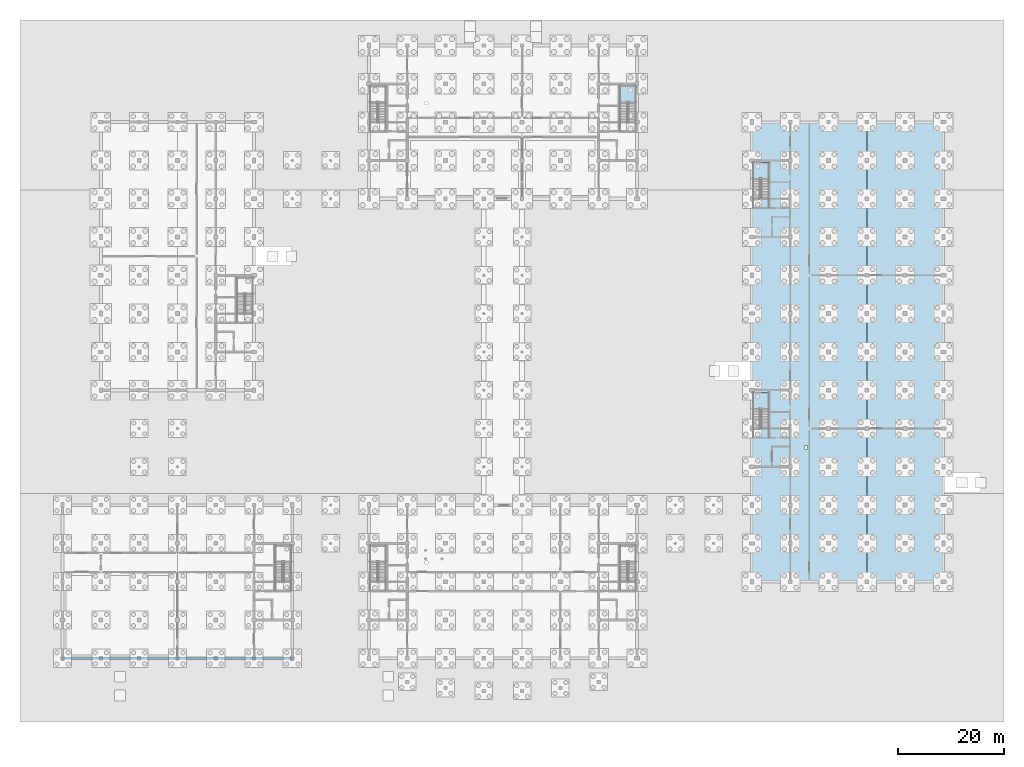
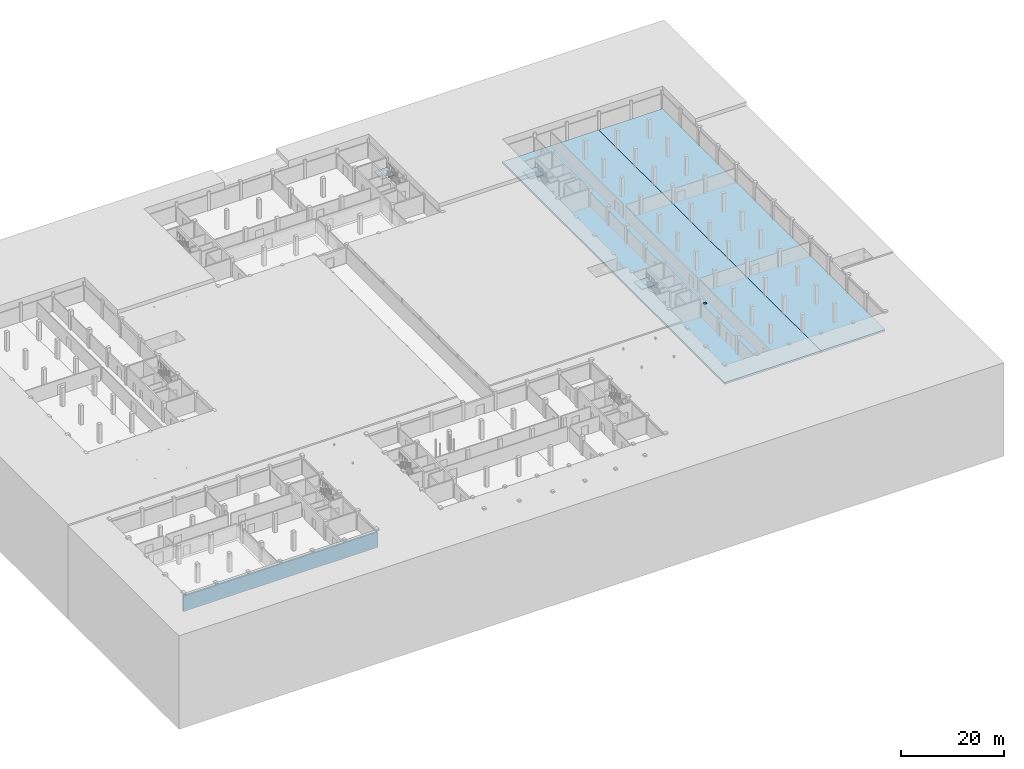
# One storey, part 23 of 51: 5 slabs, 1 wall, 3 elements without a shape of their own.
"""IFC4 building model written with IfcOpenShell, lengths in metres."""

from ifc_helpers import new_model, si_unit, direction, frame, frame_2d, origin, place, context, subcontext, project, spatial, polyline, rectangle, outline, extrude, material, layer, layer_set, type_object, element, aggregate, save


model = new_model("IFC4")

# Units and contexts
model_context = context("Model", 3, precision=1e-05, world=origin(), true_north=direction((0.0, 1.0)))
body_context = subcontext(model_context, "Body", "Model", "MODEL_VIEW")
ifc_project = project(units=[si_unit("LENGTHUNIT", "METRE"), si_unit("AREAUNIT", "SQUARE_METRE"), si_unit("VOLUMEUNIT", "CUBIC_METRE"), si_unit("PLANEANGLEUNIT", "RADIAN"), si_unit("MASSUNIT", "GRAM", prefix="KILO")], contexts=[model_context])

# Site, building, storey
site_placement = place(None, origin())
site = spatial("IfcSite", under=ifc_project, at=site_placement, CompositionType="ELEMENT")
building_placement = place(site_placement, origin())
building = spatial("IfcBuilding", under=site, at=building_placement, Name="Zlatovets Crest Museum", CompositionType="ELEMENT")
storey_placement = place(building_placement, frame((0.0, 0.0, -4.5)))
storey = spatial("IfcBuildingStorey", under=building, at=storey_placement, Name="B1", CompositionType="ELEMENT", Elevation=-4.5)

# Slabs
ifc_material_1 = material(Name="Concrete C30/37", Category="concrete")
ifc_layer_1 = layer(ifc_material_1, 0.449951171875)
ifc_layer_set_1 = layer_set([ifc_layer_1], Name="Concrete C30/37")
slab_type_1 = type_object("IfcSlabType", Name="Slab_BS-01", PredefinedType="BASESLAB", material=ifc_layer_set_1)
slab_1_placement = place(storey_placement, frame((0.0, 0.0, -0.449951171875)))
element("IfcSlab", 1, at=slab_1_placement, inside=storey, type_object=slab_type_1, Name="V5 B1 Structural Slab Panel 1", PredefinedType="BASESLAB", context=body_context, shape_type="SweptSolid", body=[
    extrude(outline(polyline([(129.60009765625, 100.800048828125), (151.199951171875, 100.800048828125), (151.199951171875, 14.39990234375), (129.60009765625, 14.39990234375), (129.60009765625, 100.800048828125)]), holes=[polyline([(139.5, 39.89990234375), (139.5, 39.300048828125), (140.10009765625, 39.300048828125), (140.10009765625, 39.89990234375), (139.5, 39.89990234375)])]), origin(), (0.0, 0.0, 1.0), 0.449951171875),
])
slab_2_placement = place(storey_placement, frame((0.0, 0.0, -0.449951171875)))
element("IfcSlab", 2, at=slab_2_placement, inside=storey, type_object=slab_type_1, Name="V5 B1 Structural Slab Panel 2", PredefinedType="BASESLAB", context=body_context, shape_type="SweptSolid", body=[
    extrude(outline(polyline([(165.60009765625, 100.800048828125), (165.60009765625, 14.39990234375), (151.199951171875, 14.39990234375), (151.199951171875, 100.800048828125), (165.60009765625, 100.800048828125)])), origin(), (0.0, 0.0, 1.0), 0.449951171875),
])

# Stair, slab
ifc_material_2 = material(Name="Concrete C35/45", Category="concrete")
stair_type_1 = type_object("IfcStairType", Name="Stair_ST5-28R", PredefinedType="HALF_TURN_STAIR", material=ifc_material_2)
stair_1_placement = place(storey_placement, origin())
stair_1 = element("IfcStair", 3, at=stair_1_placement, inside=storey, type_object=stair_type_1, Name="B1 Core C5 Escape Stair ST5", PredefinedType="HALF_TURN_STAIR")
ifc_layer_2 = layer(ifc_material_2, 0.199951171875)
ifc_layer_set_2 = layer_set([ifc_layer_2], Name="Concrete C35/45")
slab_type_2 = type_object("IfcSlabType", Name="StairLanding_SLD1", PredefinedType="LANDING", material=ifc_layer_set_2)
slab_3_placement = place(storey_placement, frame((0.0, 0.0, 2.050048828125)))
slab_3 = element("IfcSlab", 4, at=slab_3_placement, type_object=slab_type_2, Name="ST5 landing 1", PredefinedType="LANDING", context=body_context, shape_type="SweptSolid", body=[
    extrude(outline(polyline([(132.800048828125, 47.0), (132.800048828125, 50.0), (129.800048828125, 50.0), (129.800048828125, 47.0), (132.800048828125, 47.0)])), origin(), (0.0, 0.0, 1.0), 0.199951171875),
])
aggregate(stair_1, [slab_3])

stair_type_2 = type_object("IfcStairType", Name="Stair_ST7-28R", PredefinedType="HALF_TURN_STAIR", material=ifc_material_2)
stair_2_placement = place(storey_placement, origin())
stair_2 = element("IfcStair", 5, at=stair_2_placement, inside=storey, type_object=stair_type_2, Name="B1 Core C6 Escape Stair ST7", PredefinedType="HALF_TURN_STAIR")
slab_4_placement = place(storey_placement, frame((0.0, 0.0, 2.050048828125)))
slab_4 = element("IfcSlab", 6, at=slab_4_placement, type_object=slab_type_2, Name="ST7 landing 1", PredefinedType="LANDING", context=body_context, shape_type="SweptSolid", body=[
    extrude(outline(polyline([(107.800048828125, 104.60009765625), (107.800048828125, 107.60009765625), (104.800048828125, 107.60009765625), (104.800048828125, 104.60009765625), (107.800048828125, 104.60009765625)])), origin(), (0.0, 0.0, 1.0), 0.199951171875),
])
aggregate(stair_2, [slab_4])

stair_type_3 = type_object("IfcStairType", Name="Stair_ST8-28R", PredefinedType="HALF_TURN_STAIR", material=ifc_material_2)
stair_3_placement = place(storey_placement, origin())
stair_3 = element("IfcStair", 7, at=stair_3_placement, inside=storey, type_object=stair_type_3, Name="B1 Core C7 Escape Stair ST8", PredefinedType="HALF_TURN_STAIR")
slab_5_placement = place(storey_placement, frame((0.0, 0.0, 2.050048828125)))
slab_5 = element("IfcSlab", 8, at=slab_5_placement, type_object=slab_type_2, Name="ST8 landing 1", PredefinedType="LANDING", context=body_context, shape_type="SweptSolid", body=[
    extrude(outline(polyline([(132.800048828125, 90.199951171875), (132.800048828125, 93.199951171875), (129.800048828125, 93.199951171875), (129.800048828125, 90.199951171875), (132.800048828125, 90.199951171875)])), origin(), (0.0, 0.0, 1.0), 0.199951171875),
])
aggregate(stair_3, [slab_5])

# Wall
ifc_layer_3 = layer(ifc_material_2, 0.39990234375)
ifc_layer_set_3 = layer_set([ifc_layer_3], Name="Concrete C35/45")
wall_type = type_object("IfcWallType", Name="RetainingWall_RW01", PredefinedType="USERDEFINED", material=ifc_layer_set_3)
wall_placement = place(storey_placement, frame((-0.199951171875, 0.0, 0.0), z_axis=(0.0, 0.0, 1.0), x_axis=(1.0, 0.0, 0.0)))
element("IfcWall", 9, at=wall_placement, inside=storey, type_object=wall_type, Name="V3 B1 Retaining Wall S", ObjectType="RETAINING WALL", PredefinedType="USERDEFINED", context=body_context, shape_type="SweptSolid", body=[
    extrude(rectangle(XDim=43.599853515625, YDim=0.39990234375, at=frame_2d((21.7998046875, 0.0))), origin(), (0.0, 0.0, 1.0), 3.669921875),
])

save(model, "model.ifc")
